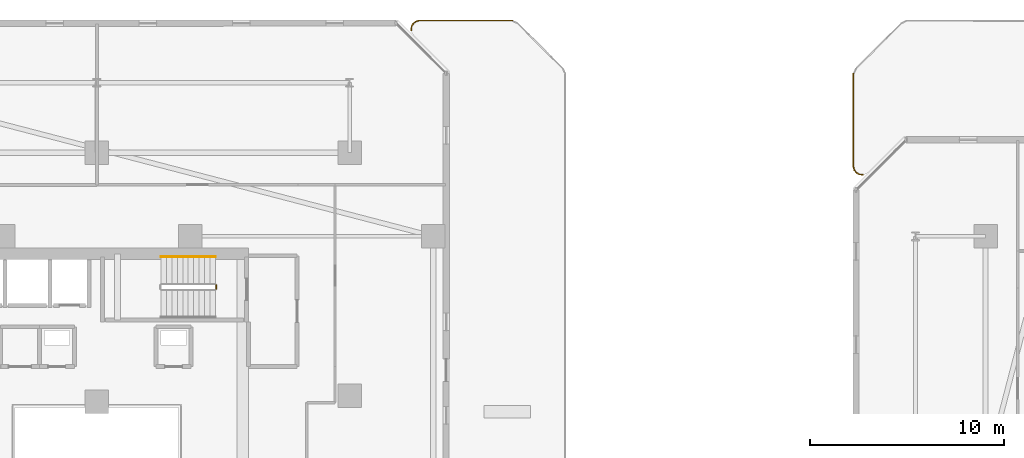
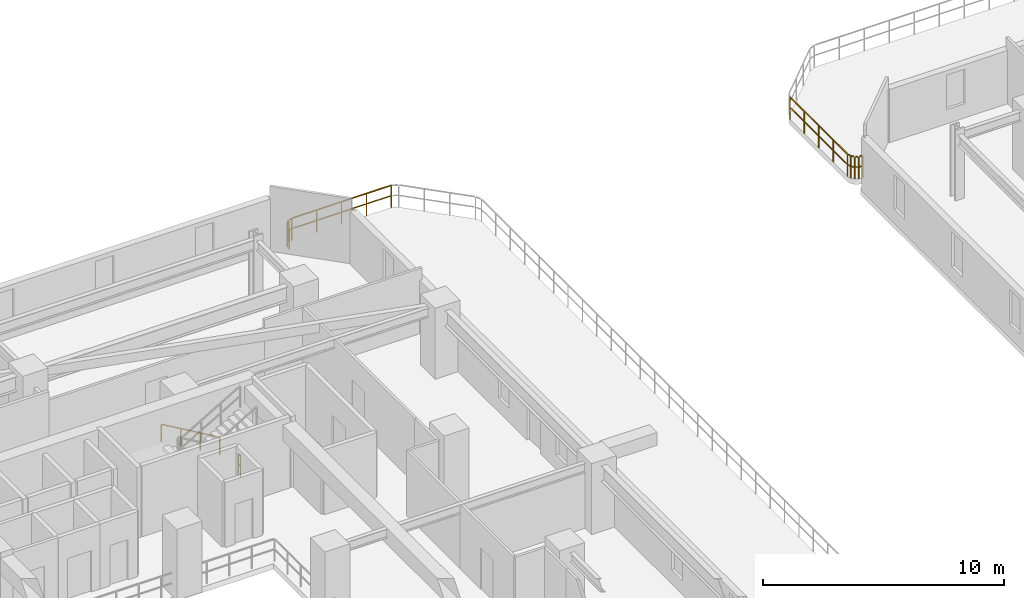
# One storey, part 31 of 33: 4 railings.
"""IFC4 building model written with IfcOpenShell, lengths in metres."""

from ifc_helpers import new_model, si_unit, direction, frame, origin, origin_2d, place, context, subcontext, project, spatial, rectangle, extrude, material, type_object, element, save


model = new_model("IFC4")

# Units and contexts
model_context = context("Model", 3, precision=1e-05, world=origin(), true_north=direction((0.0, 1.0)))
body_context = subcontext(model_context, "Body", "Model", "MODEL_VIEW")
ifc_project = project(units=[si_unit("LENGTHUNIT", "METRE"), si_unit("AREAUNIT", "SQUARE_METRE"), si_unit("VOLUMEUNIT", "CUBIC_METRE"), si_unit("PLANEANGLEUNIT", "RADIAN"), si_unit("MASSUNIT", "GRAM", prefix="KILO")], contexts=[model_context])

# Site, building, storey
site_placement = place(None, origin())
site = spatial("IfcSite", under=ifc_project, at=site_placement, CompositionType="ELEMENT")
building_placement = place(site_placement, origin())
building = spatial("IfcBuilding", under=site, at=building_placement, Name="Thornwick Lancets Civic Towers", CompositionType="ELEMENT")
storey_placement = place(building_placement, frame((0.0, 0.0, 98.10009765625)))
storey = spatial("IfcBuildingStorey", under=building, at=storey_placement, Name="L25", CompositionType="ELEMENT", Elevation=98.10009765625)

# Railings
ifc_material_1 = material(Name="Brushed stainless steel S355", Category="steel")
railing_type_1 = type_object("IfcRailingType", Name="RAIL_HANDRAIL", PredefinedType="HANDRAIL", material=ifc_material_1)
railing_1_placement = place(storey_placement, frame((31.60009765625, 38.949951171875, 0.16357421875)))
element("IfcRailing", 1, at=railing_1_placement, inside=storey, type_object=railing_type_1, Name="L25 ST-A2 stair handrail 1", PredefinedType="HANDRAIL", context=body_context, shape_type="SweptSolid", body=[
    extrude(rectangle(XDim=0.048095703125, YDim=0.048095703125, at=origin_2d()), frame((0.0, 0.0, 0.8857421875), z_axis=(-0.863393664356, 0.0, 0.504530851732), x_axis=(0.0, -1.0, 0.0)), (0.0, 0.0, 1.0), 3.2431640625),
    extrude(rectangle(XDim=0.0419921875, YDim=0.0419921875, at=origin_2d()), origin(), (0.0, 0.0, 1.0), 0.855712890625),
    extrude(rectangle(XDim=0.0419921875, YDim=0.0419921875, at=origin_2d()), frame((-0.933349609375, 0.0, 0.54541015625)), (0.0, 0.0, 1.0), 0.855712890625),
    extrude(rectangle(XDim=0.0419921875, YDim=0.0419921875, at=origin_2d()), frame((-1.86669921875, 0.0, 1.0908203125)), (0.0, 0.0, 1.0), 0.855712890625),
    extrude(rectangle(XDim=0.0419921875, YDim=0.0419921875, at=origin_2d()), frame((-2.800048828125, 0.0, 1.63623046875)), (0.0, 0.0, 1.0), 0.855712890625),
])
ifc_material_2 = material(Name="Steel S355JR", Category="steel")
railing_type_2 = type_object("IfcRailingType", Name="RAIL_STAIR_GUARD", PredefinedType="GUARDRAIL", material=ifc_material_2)
railing_2_placement = place(storey_placement, frame((31.64990234375, 37.5, 0.0)))
element("IfcRailing", 2, at=railing_2_placement, inside=storey, type_object=railing_type_2, Name="L25 ST-A2 stair guard 4", PredefinedType="GUARDRAIL", context=body_context, shape_type="SweptSolid", body=[
    extrude(rectangle(XDim=0.048095703125, YDim=0.048095703125, at=origin_2d()), frame((0.0, 0.0, 1.076171875), z_axis=(0.0, -1.0, 0.0), x_axis=(1.0, 0.0, 0.0)), (0.0, 0.0, 1.0), 0.199951171875),
    extrude(rectangle(XDim=0.0419921875, YDim=0.0419921875, at=origin_2d()), frame((0.0, -0.03759765625, 0.572021484375), z_axis=(0.0, -1.0, 0.0), x_axis=(1.0, 0.0, 0.0)), (0.0, 0.0, 1.0), 0.125),
    extrude(rectangle(XDim=0.0419921875, YDim=0.0419921875, at=origin_2d()), origin(), (0.0, 0.0, 1.0), 1.0458984375),
    extrude(rectangle(XDim=0.0419921875, YDim=0.0419921875, at=origin_2d()), frame((0.0, -0.199951171875, 0.0)), (0.0, 0.0, 1.0), 1.0458984375),
])
ifc_material_3 = material(Name="Terracotta-capped laminated glass balustrade S355", Category="masonry")
railing_type_3 = type_object("IfcRailingType", Name="RAIL_TERR_GUARD", PredefinedType="GUARDRAIL", material=ifc_material_3)
railing_3_placement = place(storey_placement, frame((41.667236328125, 50.602294921875, 0.0)))
element("IfcRailing", 3, at=railing_3_placement, inside=storey, type_object=railing_type_3, Name="L25 Tower A Sky-Garden Guard 1 Part 2", PredefinedType="GUARDRAIL", context=body_context, shape_type="SweptSolid", body=[
    extrude(rectangle(XDim=0.048095703125, YDim=0.048095703125, at=origin_2d()), frame((0.0, 0.0, 1.1259765625), z_axis=(0.094101126617, 0.99556264392, 0.0), x_axis=(-0.99556264392, 0.094101126617, 0.0)), (0.0, 0.0, 1.0), 0.147705078125),
    extrude(rectangle(XDim=0.0419921875, YDim=0.0419921875, at=origin_2d()), frame((0.00341796875, 0.037353515625, 0.597900390625), z_axis=(0.094101126617, 0.99556264392, 0.0), x_axis=(-0.99556264392, 0.094101126617, 0.0)), (0.0, 0.0, 1.0), 0.10400390625),
    extrude(rectangle(XDim=0.048095703125, YDim=0.048095703125, at=origin_2d()), frame((0.031494140625, 0.205810546875, 1.1259765625), z_axis=(0.470948722639, 0.882160586654, 0.0), x_axis=(-0.882160586654, 0.470948722639, 0.0)), (0.0, 0.0, 1.0), 0.11328125),
    extrude(rectangle(XDim=0.0419921875, YDim=0.0419921875, at=origin_2d()), frame((0.034423828125, 0.211181640625, 0.597900390625), z_axis=(0.470948722639, 0.882160586654, 0.0), x_axis=(-0.882160586654, 0.470948722639, 0.0)), (0.0, 0.0, 1.0), 0.100830078125),
    extrude(rectangle(XDim=0.048095703125, YDim=0.048095703125, at=origin_2d()), frame((0.123779296875, 0.35302734375, 1.1259765625), z_axis=(0.773213238462, 0.634146109242, 0.0), x_axis=(-0.634146109242, 0.773213238462, 0.0)), (0.0, 0.0, 1.0), 0.113037109375),
    extrude(rectangle(XDim=0.0419921875, YDim=0.0419921875, at=origin_2d()), frame((0.128662109375, 0.35693359375, 0.597900390625), z_axis=(0.773213238462, 0.634146109242, 0.0), x_axis=(-0.634146109242, 0.773213238462, 0.0)), (0.0, 0.0, 1.0), 0.1005859375),
    extrude(rectangle(XDim=0.048095703125, YDim=0.048095703125, at=origin_2d()), frame((0.265380859375, 0.45361328125, 1.1259765625), z_axis=(0.956825336025, 0.290663510508, 0.0), x_axis=(-0.290663510508, 0.956825336025, 0.0)), (0.0, 0.0, 1.0), 0.113037109375),
    extrude(rectangle(XDim=0.0419921875, YDim=0.0419921875, at=origin_2d()), frame((0.271240234375, 0.45556640625, 0.597900390625), z_axis=(0.956825336025, 0.290663510508, 0.0), x_axis=(-0.290663510508, 0.956825336025, 0.0)), (0.0, 0.0, 1.0), 0.1005859375),
    extrude(rectangle(XDim=0.048095703125, YDim=0.048095703125, at=origin_2d()), frame((0.4345703125, 0.49560546875, 1.1259765625), z_axis=(1.0, 0.0, 0.0), x_axis=(0.0, 1.0, 0.0)), (0.0, 0.0, 1.0), 4.755859375),
    extrude(rectangle(XDim=0.0419921875, YDim=0.0419921875, at=origin_2d()), frame((0.44091796875, 0.49560546875, 0.597900390625), z_axis=(1.0, 0.0, 0.0), x_axis=(0.0, 1.0, 0.0)), (0.0, 0.0, 1.0), 1.121826171875),
    extrude(rectangle(XDim=0.0419921875, YDim=0.0419921875, at=origin_2d()), frame((1.6376953125, 0.49560546875, 0.597900390625), z_axis=(1.0, 0.0, 0.0), x_axis=(0.0, 1.0, 0.0)), (0.0, 0.0, 1.0), 1.121826171875),
    extrude(rectangle(XDim=0.0419921875, YDim=0.0419921875, at=origin_2d()), frame((2.83447265625, 0.49560546875, 0.597900390625), z_axis=(1.0, 0.0, 0.0), x_axis=(0.0, 1.0, 0.0)), (0.0, 0.0, 1.0), 1.121826171875),
    extrude(rectangle(XDim=0.0419921875, YDim=0.0419921875, at=origin_2d()), frame((4.03125, 0.49560546875, 0.597900390625), z_axis=(1.0, 0.0, 0.0), x_axis=(0.0, 1.0, 0.0)), (0.0, 0.0, 1.0), 1.121826171875),
    extrude(rectangle(XDim=0.0419921875, YDim=0.0419921875, at=origin_2d()), origin(), (0.0, 0.0, 1.0), 1.095703125),
    extrude(rectangle(XDim=0.0419921875, YDim=0.0419921875, at=origin_2d()), frame((0.016845703125, 0.17822265625, 0.0)), (0.0, 0.0, 1.0), 1.095703125),
    extrude(rectangle(XDim=0.0419921875, YDim=0.0419921875, at=origin_2d()), frame((0.099609375, 0.333251953125, 0.0)), (0.0, 0.0, 1.0), 1.095703125),
    extrude(rectangle(XDim=0.0419921875, YDim=0.0419921875, at=origin_2d()), frame((0.2353515625, 0.444580078125, 0.0)), (0.0, 0.0, 1.0), 1.095703125),
    extrude(rectangle(XDim=0.0419921875, YDim=0.0419921875, at=origin_2d()), frame((0.4033203125, 0.49560546875, 0.0)), (0.0, 0.0, 1.0), 1.095703125),
    extrude(rectangle(XDim=0.0419921875, YDim=0.0419921875, at=origin_2d()), frame((1.60009765625, 0.49560546875, 0.0)), (0.0, 0.0, 1.0), 1.095703125),
    extrude(rectangle(XDim=0.0419921875, YDim=0.0419921875, at=origin_2d()), frame((2.796875, 0.49560546875, 0.0)), (0.0, 0.0, 1.0), 1.095703125),
    extrude(rectangle(XDim=0.0419921875, YDim=0.0419921875, at=origin_2d()), frame((3.99365234375, 0.49560546875, 0.0)), (0.0, 0.0, 1.0), 1.095703125),
    extrude(rectangle(XDim=0.0419921875, YDim=0.0419921875, at=origin_2d()), frame((5.1904296875, 0.49560546875, 0.0)), (0.0, 0.0, 1.0), 1.095703125),
])
railing_4_placement = place(storey_placement, frame((64.897705078125, 43.167236328125, 0.0)))
element("IfcRailing", 4, at=railing_4_placement, inside=storey, type_object=railing_type_3, Name="L25 Tower B Sky-Garden Guard 1 Part 2", PredefinedType="GUARDRAIL", context=body_context, shape_type="SweptSolid", body=[
    extrude(rectangle(XDim=0.048095703125, YDim=0.048095703125, at=origin_2d()), frame((0.0, 0.0, 1.1259765625), z_axis=(-0.99556264392, 0.094101126617, 0.0), x_axis=(-0.094101126617, -0.99556264392, 0.0)), (0.0, 0.0, 1.0), 0.147705078125),
    extrude(rectangle(XDim=0.0419921875, YDim=0.0419921875, at=origin_2d()), frame((-0.037353515625, 0.00341796875, 0.597900390625), z_axis=(-0.99556264392, 0.094101126617, 0.0), x_axis=(-0.094101126617, -0.99556264392, 0.0)), (0.0, 0.0, 1.0), 0.10400390625),
    extrude(rectangle(XDim=0.048095703125, YDim=0.048095703125, at=origin_2d()), frame((-0.205810546875, 0.031494140625, 1.1259765625), z_axis=(-0.882160586654, 0.470948722639, 0.0), x_axis=(-0.470948722639, -0.882160586654, 0.0)), (0.0, 0.0, 1.0), 0.11328125),
    extrude(rectangle(XDim=0.0419921875, YDim=0.0419921875, at=origin_2d()), frame((-0.211181640625, 0.034423828125, 0.597900390625), z_axis=(-0.882160586654, 0.470948722639, 0.0), x_axis=(-0.470948722639, -0.882160586654, 0.0)), (0.0, 0.0, 1.0), 0.100830078125),
    extrude(rectangle(XDim=0.048095703125, YDim=0.048095703125, at=origin_2d()), frame((-0.35302734375, 0.123779296875, 1.1259765625), z_axis=(-0.634146109242, 0.773213238462, 0.0), x_axis=(-0.773213238462, -0.634146109242, 0.0)), (0.0, 0.0, 1.0), 0.113037109375),
    extrude(rectangle(XDim=0.0419921875, YDim=0.0419921875, at=origin_2d()), frame((-0.35693359375, 0.128662109375, 0.597900390625), z_axis=(-0.634146109242, 0.773213238462, 0.0), x_axis=(-0.773213238462, -0.634146109242, 0.0)), (0.0, 0.0, 1.0), 0.1005859375),
    extrude(rectangle(XDim=0.048095703125, YDim=0.048095703125, at=origin_2d()), frame((-0.45361328125, 0.265380859375, 1.1259765625), z_axis=(-0.290663510508, 0.956825336025, 0.0), x_axis=(-0.956825336025, -0.290663510508, 0.0)), (0.0, 0.0, 1.0), 0.113037109375),
    extrude(rectangle(XDim=0.0419921875, YDim=0.0419921875, at=origin_2d()), frame((-0.45556640625, 0.271240234375, 0.597900390625), z_axis=(-0.290663510508, 0.956825336025, 0.0), x_axis=(-0.956825336025, -0.290663510508, 0.0)), (0.0, 0.0, 1.0), 0.1005859375),
    extrude(rectangle(XDim=0.048095703125, YDim=0.048095703125, at=origin_2d()), frame((-0.49560546875, 0.4345703125, 1.1259765625), z_axis=(0.0, 1.0, 0.0), x_axis=(-1.0, 0.0, 0.0)), (0.0, 0.0, 1.0), 4.755859375),
    extrude(rectangle(XDim=0.0419921875, YDim=0.0419921875, at=origin_2d()), frame((-0.49560546875, 0.44091796875, 0.597900390625), z_axis=(0.0, 1.0, 0.0), x_axis=(-1.0, 0.0, 0.0)), (0.0, 0.0, 1.0), 1.121826171875),
    extrude(rectangle(XDim=0.0419921875, YDim=0.0419921875, at=origin_2d()), frame((-0.49560546875, 1.6376953125, 0.597900390625), z_axis=(0.0, 1.0, 0.0), x_axis=(-1.0, 0.0, 0.0)), (0.0, 0.0, 1.0), 1.121826171875),
    extrude(rectangle(XDim=0.0419921875, YDim=0.0419921875, at=origin_2d()), frame((-0.49560546875, 2.83447265625, 0.597900390625), z_axis=(0.0, 1.0, 0.0), x_axis=(-1.0, 0.0, 0.0)), (0.0, 0.0, 1.0), 1.121826171875),
    extrude(rectangle(XDim=0.0419921875, YDim=0.0419921875, at=origin_2d()), frame((-0.49560546875, 4.03125, 0.597900390625), z_axis=(0.0, 1.0, 0.0), x_axis=(-1.0, 0.0, 0.0)), (0.0, 0.0, 1.0), 1.121826171875),
    extrude(rectangle(XDim=0.0419921875, YDim=0.0419921875, at=origin_2d()), origin(), (0.0, 0.0, 1.0), 1.095703125),
    extrude(rectangle(XDim=0.0419921875, YDim=0.0419921875, at=origin_2d()), frame((-0.17822265625, 0.016845703125, 0.0)), (0.0, 0.0, 1.0), 1.095703125),
    extrude(rectangle(XDim=0.0419921875, YDim=0.0419921875, at=origin_2d()), frame((-0.333251953125, 0.099609375, 0.0)), (0.0, 0.0, 1.0), 1.095703125),
    extrude(rectangle(XDim=0.0419921875, YDim=0.0419921875, at=origin_2d()), frame((-0.444580078125, 0.2353515625, 0.0)), (0.0, 0.0, 1.0), 1.095703125),
    extrude(rectangle(XDim=0.0419921875, YDim=0.0419921875, at=origin_2d()), frame((-0.49560546875, 0.4033203125, 0.0)), (0.0, 0.0, 1.0), 1.095703125),
    extrude(rectangle(XDim=0.0419921875, YDim=0.0419921875, at=origin_2d()), frame((-0.49560546875, 1.60009765625, 0.0)), (0.0, 0.0, 1.0), 1.095703125),
    extrude(rectangle(XDim=0.0419921875, YDim=0.0419921875, at=origin_2d()), frame((-0.49560546875, 2.796875, 0.0)), (0.0, 0.0, 1.0), 1.095703125),
    extrude(rectangle(XDim=0.0419921875, YDim=0.0419921875, at=origin_2d()), frame((-0.49560546875, 3.99365234375, 0.0)), (0.0, 0.0, 1.0), 1.095703125),
    extrude(rectangle(XDim=0.0419921875, YDim=0.0419921875, at=origin_2d()), frame((-0.49560546875, 5.1904296875, 0.0)), (0.0, 0.0, 1.0), 1.095703125),
])

save(model, "model.ifc")
